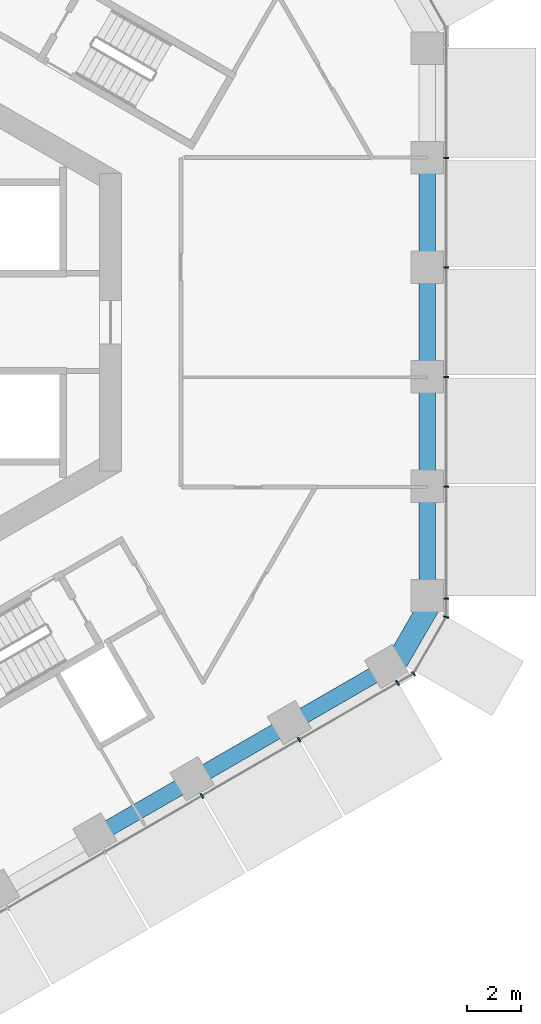
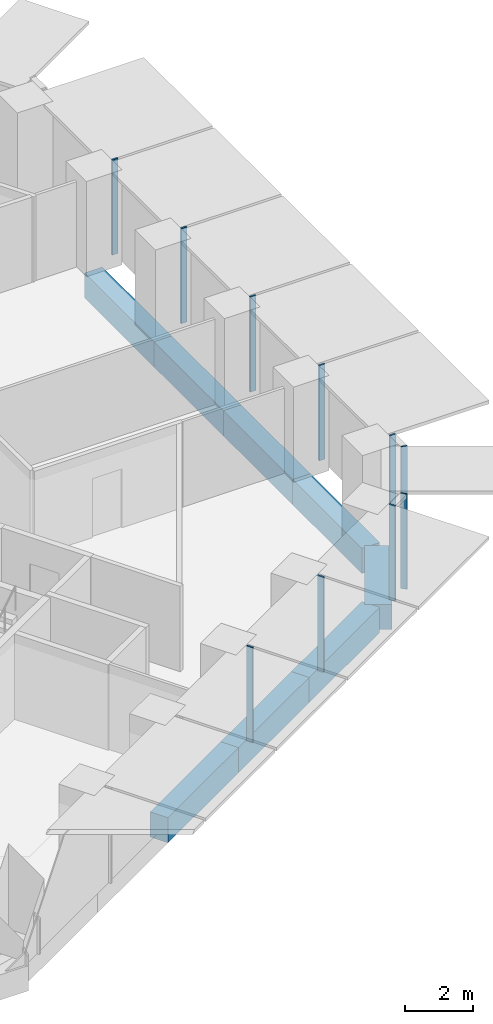
# One storey, part 4 of 19: 10 members, 8 beams, 3 elements without a shape of their own.
"""IFC4 building model written with IfcOpenShell, lengths in metres."""

from ifc_helpers import new_model, si_unit, direction, frame, origin, origin_2d, place, context, subcontext, project, spatial, rectangle, extrude, material, layer, layer_set, material_profile, profile_set, type_object, element, aggregate, save


model = new_model("IFC4")

# Units and contexts
model_context = context("Model", 3, precision=1e-05, world=origin(), true_north=direction((0.0, 1.0)))
body_context = subcontext(model_context, "Body", "Model", "MODEL_VIEW")
ifc_project = project(units=[si_unit("LENGTHUNIT", "METRE"), si_unit("AREAUNIT", "SQUARE_METRE"), si_unit("VOLUMEUNIT", "CUBIC_METRE"), si_unit("PLANEANGLEUNIT", "RADIAN"), si_unit("MASSUNIT", "GRAM", prefix="KILO")], contexts=[model_context])

# Site, building, storey
site_placement = place(None, origin())
site = spatial("IfcSite", under=ifc_project, at=site_placement, CompositionType="ELEMENT")
building_placement = place(site_placement, origin())
building = spatial("IfcBuilding", under=site, at=building_placement, Name="Ayvan Gate Tower", CompositionType="ELEMENT")
storey_placement = place(building_placement, frame((0.0, 0.0, 32.300048828125)))
storey = spatial("IfcBuildingStorey", under=building, at=storey_placement, Name="L07", CompositionType="ELEMENT", Elevation=32.300048828125)

# Beams
ifc_material_1 = material(Name="Concrete C40/50", Category="concrete")
ifc_material_profile_1 = material_profile(ifc_material_1, rectangle(XDim=0.800048828125, YDim=0.89990234375, at=origin_2d()), Name="RC 800x900")
ifc_profile_set_1 = profile_set([ifc_material_profile_1], Name="Concrete C40/50")
beam_type_1 = type_object("IfcBeamType", Name="Corner spandrel beam RC 800x900 C40/50", PredefinedType="BEAM", material=ifc_profile_set_1)
beam_1_placement = place(storey_placement, frame((19.47509765625, -12.85498046875, -0.800048828125), z_axis=(0.50002537861, 0.866010750942, 0.0), x_axis=(-0.866010750942, 0.50002537861, 0.0)))
element("IfcBeam", 1, at=beam_1_placement, inside=storey, type_object=beam_type_1, Name="SB-L07-36", PredefinedType="BEAM", context=body_context, shape_type="SweptSolid", body=[
    extrude(rectangle(XDim=0.800048828125, YDim=0.89990234375, at=origin_2d()), origin(), (0.0, 0.0, 1.0), 2.999755859375),
])
ifc_material_profile_2 = material_profile(ifc_material_1, rectangle(XDim=0.60009765625, YDim=0.89990234375, at=origin_2d()), Name="RC 600x900")
ifc_profile_set_2 = profile_set([ifc_material_profile_2], Name="Concrete C40/50")
beam_type_2 = type_object("IfcBeamType", Name="Spandrel beam RC 600x900 C40/50", PredefinedType="BEAM", material=ifc_profile_set_2)
for number, where, z_axis, x_axis, name in (
    (2, (20.78466796875, -10.14697265625, -0.800048828125), (0.0, 1.0, 0.0), (-1.0, 0.0, 0.0), "SB-L07-1"),
    (3, (20.78466796875, -6.088134765625, -0.800048828125), (0.0, 1.0, 0.0), (-1.0, 0.0, 0.0), "SB-L07-2"),
):
    element("IfcBeam", number, at=place(storey_placement, frame(where, z_axis=z_axis, x_axis=x_axis)), inside=storey, type_object=beam_type_2, Name=name, PredefinedType="BEAM", context=body_context, shape_type="SweptSolid", body=[
        extrude(rectangle(XDim=0.60009765625, YDim=0.89990234375, at=origin_2d()), origin(), (0.0, 0.0, 1.0), 4.058837890625),
    ])
beam_2_placement = place(storey_placement, frame((20.78466796875, -2.029296875, -0.800048828125), z_axis=(0.0, 1.0, 0.0), x_axis=(-1.0, 0.0, 0.0)))
element("IfcBeam", 4, at=beam_2_placement, inside=storey, type_object=beam_type_2, Name="SB-L07-3", PredefinedType="BEAM", context=body_context, shape_type="SweptSolid", body=[
    extrude(rectangle(XDim=0.60009765625, YDim=0.89990234375, at=origin_2d()), origin(), (0.0, 0.0, 1.0), 4.05859375),
])
beam_3_placement = place(storey_placement, frame((20.78466796875, 2.029296875, -0.800048828125), z_axis=(0.0, 1.0, 0.0), x_axis=(-1.0, 0.0, 0.0)))
element("IfcBeam", 5, at=beam_3_placement, inside=storey, type_object=beam_type_2, Name="SB-L07-4", PredefinedType="BEAM", context=body_context, shape_type="SweptSolid", body=[
    extrude(rectangle(XDim=0.60009765625, YDim=0.89990234375, at=origin_2d()), origin(), (0.0, 0.0, 1.0), 4.058837890625),
])
for number, where, z_axis, x_axis, name in (
    (6, (8.551025390625, -18.942138671875, -0.800048828125), (0.866027148792, 0.499996977546, 0.0), (-0.499996977546, 0.866027148792, 0.0), "SB-L07-33"),
    (7, (12.12890625, -16.87646484375, -0.800048828125), (0.866027148792, 0.499996977546, 0.0), (-0.499996977546, 0.866027148792, 0.0), "SB-L07-34"),
    (8, (15.706787109375, -14.810791015625, -0.800048828125), (0.866027148792, 0.499996977546, 0.0), (-0.499996977546, 0.866027148792, 0.0), "SB-L07-35"),
):
    element("IfcBeam", number, at=place(storey_placement, frame(where, z_axis=z_axis, x_axis=x_axis)), inside=storey, type_object=beam_type_2, Name=name, PredefinedType="BEAM", context=body_context, shape_type="SweptSolid", body=[
        extrude(rectangle(XDim=0.60009765625, YDim=0.89990234375, at=origin_2d()), origin(), (0.0, 0.0, 1.0), 4.13134765625),
    ])

# Curtain wall, members
ifc_material_2 = material(Name="Bronze anodised aluminium", Category="aluminium")
ifc_layer_1 = layer(ifc_material_2, 0.199951171875)
ifc_layer_set_1 = layer_set([ifc_layer_1], Name="Bronze anodised aluminium")
curtain_wall_type_1 = type_object("IfcCurtainWallType", Name="Stick curtain wall CW-1", PredefinedType="NOTDEFINED", material=ifc_layer_set_1)
curtain_wall_1_placement = place(storey_placement, origin())
curtain_wall_1 = element("IfcCurtainWall", 9, at=curtain_wall_1_placement, inside=storey, type_object=curtain_wall_type_1, Name="Stick curtain wall CW-1 L07", PredefinedType="NOTDEFINED")
ifc_material_profile_3 = material_profile(ifc_material_2, rectangle(XDim=0.199951171875, YDim=0.06005859375, at=origin_2d()), Name="Stick curtain wall CW-1 mullion 200 x 60")
ifc_profile_set_3 = profile_set([ifc_material_profile_3], Name="Bronze anodised aluminium")
member_type_1 = type_object("IfcMemberType", Name="Stick curtain wall CW-1 mullion 200 x 60", PredefinedType="MULLION", material=ifc_profile_set_3)
member_1_placement = place(storey_placement, frame((12.475830078125, -17.46826171875, 0.0), z_axis=(0.0, 0.0, 1.0), x_axis=(0.5, -0.866025403784, 0.0)))
member_1 = element("IfcMember", 10, at=member_1_placement, type_object=member_type_1, Name="CW-1 mullion 4", PredefinedType="MULLION", context=body_context, shape_type="SweptSolid", body=[
    extrude(rectangle(XDim=0.199951171875, YDim=0.06005859375, at=origin_2d()), origin(), (0.0, 0.0, 1.0), 3.39990234375),
])
member_2_placement = place(storey_placement, frame((16.06298828125, -15.397216796875, 0.0), z_axis=(0.0, 0.0, 1.0), x_axis=(0.5, -0.866025403784, 0.0)))
member_2 = element("IfcMember", 11, at=member_2_placement, type_object=member_type_1, Name="CW-1 mullion 5", PredefinedType="MULLION", context=body_context, shape_type="SweptSolid", body=[
    extrude(rectangle(XDim=0.199951171875, YDim=0.06005859375, at=origin_2d()), origin(), (0.0, 0.0, 1.0), 3.39990234375),
])
member_3_placement = place(storey_placement, frame((19.6884765625, -13.30419921875, 0.0), z_axis=(0.0, 0.0, 1.0), x_axis=(0.5, -0.866025403784, 0.0)))
member_3 = element("IfcMember", 12, at=member_3_placement, type_object=member_type_1, Name="CW-1 mullion 6", PredefinedType="MULLION", context=body_context, shape_type="SweptSolid", body=[
    extrude(rectangle(XDim=0.199951171875, YDim=0.06005859375, at=origin_2d()), origin(), (0.0, 0.0, 1.0), 3.39990234375),
])
aggregate(curtain_wall_1, [member_1, member_2, member_3])

curtain_wall_2_placement = place(storey_placement, origin())
curtain_wall_2 = element("IfcCurtainWall", 13, at=curtain_wall_2_placement, inside=storey, type_object=curtain_wall_type_1, Name="Stick curtain wall CW-1 L07", PredefinedType="NOTDEFINED")
member_4_placement = place(storey_placement, frame((21.484619140625, -10.193115234375, 0.0), z_axis=(0.0, 0.0, 1.0), x_axis=(1.0, 0.0, 0.0)))
member_4 = element("IfcMember", 14, at=member_4_placement, type_object=member_type_1, Name="CW-1 mullion 1", PredefinedType="MULLION", context=body_context, shape_type="SweptSolid", body=[
    extrude(rectangle(XDim=0.199951171875, YDim=0.06005859375, at=origin_2d()), origin(), (0.0, 0.0, 1.0), 3.39990234375),
])
member_5_placement = place(storey_placement, frame((21.484619140625, -6.05810546875, 0.0), z_axis=(0.0, 0.0, 1.0), x_axis=(1.0, 0.0, 0.0)))
member_5 = element("IfcMember", 15, at=member_5_placement, type_object=member_type_1, Name="CW-1 mullion 2", PredefinedType="MULLION", context=body_context, shape_type="SweptSolid", body=[
    extrude(rectangle(XDim=0.199951171875, YDim=0.06005859375, at=origin_2d()), origin(), (0.0, 0.0, 1.0), 3.39990234375),
])
member_6_placement = place(storey_placement, frame((21.484619140625, -2.01904296875, 0.0), z_axis=(0.0, 0.0, 1.0), x_axis=(1.0, 0.0, 0.0)))
member_6 = element("IfcMember", 16, at=member_6_placement, type_object=member_type_1, Name="CW-1 mullion 3", PredefinedType="MULLION", context=body_context, shape_type="SweptSolid", body=[
    extrude(rectangle(XDim=0.199951171875, YDim=0.06005859375, at=origin_2d()), origin(), (0.0, 0.0, 1.0), 3.39990234375),
])
member_7_placement = place(storey_placement, frame((21.484619140625, 2.01904296875, 0.0), z_axis=(0.0, 0.0, 1.0), x_axis=(1.0, 0.0, 0.0)))
member_7 = element("IfcMember", 17, at=member_7_placement, type_object=member_type_1, Name="CW-1 mullion 4", PredefinedType="MULLION", context=body_context, shape_type="SweptSolid", body=[
    extrude(rectangle(XDim=0.199951171875, YDim=0.06005859375, at=origin_2d()), origin(), (0.0, 0.0, 1.0), 3.39990234375),
])
member_8_placement = place(storey_placement, frame((21.484619140625, 6.057861328125, 0.0), z_axis=(0.0, 0.0, 1.0), x_axis=(1.0, 0.0, 0.0)))
member_8 = element("IfcMember", 18, at=member_8_placement, type_object=member_type_1, Name="CW-1 mullion 5", PredefinedType="MULLION", context=body_context, shape_type="SweptSolid", body=[
    extrude(rectangle(XDim=0.199951171875, YDim=0.06005859375, at=origin_2d()), origin(), (0.0, 0.0, 1.0), 3.39990234375),
])
aggregate(curtain_wall_2, [member_4, member_5, member_6, member_7, member_8])

ifc_layer_2 = layer(ifc_material_2, 0.199951171875)
ifc_layer_set_2 = layer_set([ifc_layer_2], Name="Bronze anodised aluminium")
curtain_wall_type_2 = type_object("IfcCurtainWallType", Name="Stick curtain wall CW-6", PredefinedType="NOTDEFINED", material=ifc_layer_set_2)
curtain_wall_3_placement = place(storey_placement, origin())
curtain_wall_3 = element("IfcCurtainWall", 19, at=curtain_wall_3_placement, inside=storey, type_object=curtain_wall_type_2, Name="Stick curtain wall CW-6 L07", PredefinedType="NOTDEFINED")
ifc_material_profile_4 = material_profile(ifc_material_2, rectangle(XDim=0.199951171875, YDim=0.050048828125, at=origin_2d()), Name="Stick curtain wall CW-6 mullion 200 x 50")
ifc_profile_set_4 = profile_set([ifc_material_profile_4], Name="Bronze anodised aluminium")
member_type_2 = type_object("IfcMemberType", Name="Stick curtain wall CW-6 mullion 200 x 50", PredefinedType="MULLION", material=ifc_profile_set_4)
member_9_placement = place(storey_placement, frame((20.27734375, -12.964111328125, 0.0), z_axis=(0.0, 0.0, 1.0), x_axis=(0.707106781187, -0.707106781187, 0.0)))
member_9 = element("IfcMember", 20, at=member_9_placement, type_object=member_type_2, Name="CW-6 mullion 2", PredefinedType="MULLION", context=body_context, shape_type="SweptSolid", body=[
    extrude(rectangle(XDim=0.199951171875, YDim=0.050048828125, at=origin_2d()), origin(), (0.0, 0.0, 1.0), 3.39990234375),
])
member_10_placement = place(storey_placement, frame((21.484619140625, -10.873046875, 0.0), z_axis=(0.0, 0.0, 1.0), x_axis=(0.965925826289, -0.258819045103, 0.0)))
member_10 = element("IfcMember", 21, at=member_10_placement, type_object=member_type_2, Name="CW-6 mullion 3", PredefinedType="MULLION", context=body_context, shape_type="SweptSolid", body=[
    extrude(rectangle(XDim=0.199951171875, YDim=0.050048828125, at=origin_2d()), origin(), (0.0, 0.0, 1.0), 3.39990234375),
])
aggregate(curtain_wall_3, [member_9, member_10])

save(model, "model.ifc")
